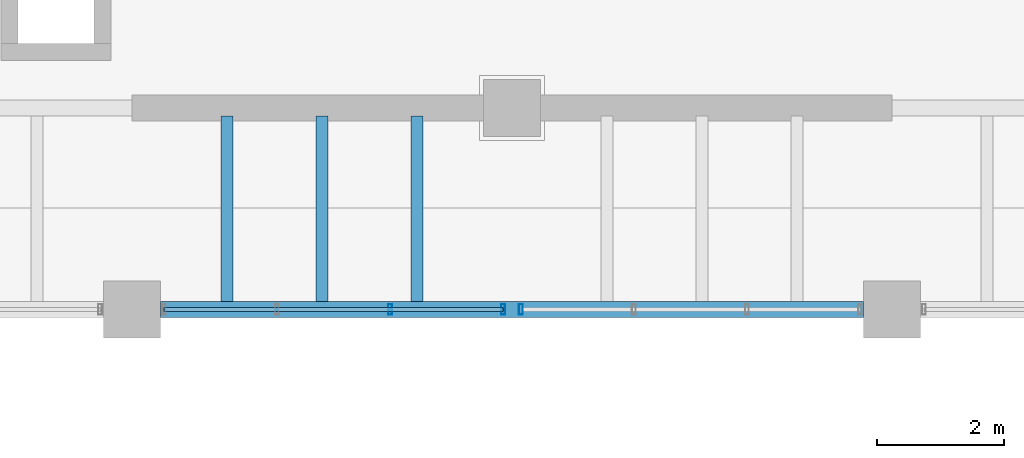
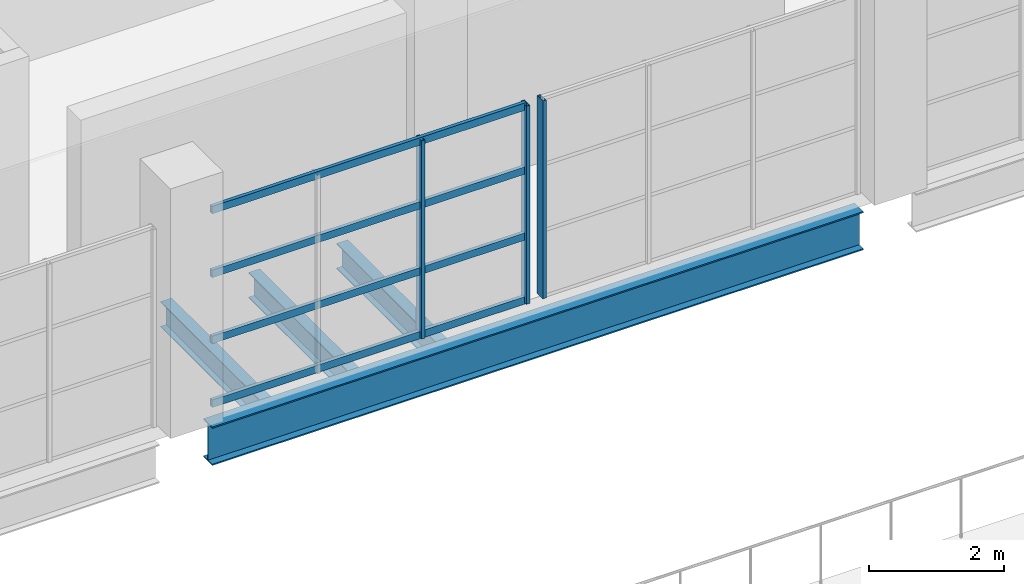
# One storey, part 39 of 78: 7 members, 4 beams, 2 elements without a shape of their own.
"""IFC4 building model written with IfcOpenShell, lengths in metres."""

from ifc_helpers import new_model, si_unit, direction, frame, origin, origin_2d, place, context, subcontext, project, spatial, hollow_rectangle, i_section, extrude, material, material_profile, profile_set, type_object, element, aggregate, save


model = new_model("IFC4")

# Units and contexts
model_context = context("Model", 3, precision=1e-05, world=origin(), true_north=direction((0.0, 1.0)))
body_context = subcontext(model_context, "Body", "Model", "MODEL_VIEW")
ifc_project = project(units=[si_unit("LENGTHUNIT", "METRE"), si_unit("AREAUNIT", "SQUARE_METRE"), si_unit("VOLUMEUNIT", "CUBIC_METRE"), si_unit("PLANEANGLEUNIT", "RADIAN"), si_unit("MASSUNIT", "GRAM", prefix="KILO")], contexts=[model_context])

# Site, building, storey
site_placement = place(None, origin())
site = spatial("IfcSite", under=ifc_project, at=site_placement, CompositionType="ELEMENT")
building_placement = place(site_placement, origin())
building = spatial("IfcBuilding", under=site, at=building_placement, Name="Kelmvaro Bay Concert Hall", CompositionType="ELEMENT")
storey_placement = place(building_placement, frame((0.0, 0.0, 9.300048828125)))
storey = spatial("IfcBuildingStorey", under=building, at=storey_placement, Name="L02", CompositionType="ELEMENT", Elevation=9.300048828125)

# Beam
ifc_material_1 = material(Name="Steel ASTM A992 Grade 50", Category="steel")
ifc_material_profile_1 = material_profile(ifc_material_1, i_section(OverallWidth=0.256103515625, OverallDepth=0.693115234375, WebThickness=0.014404296875, FlangeThickness=0.023681640625, at=origin_2d()), Name="W27X114")
ifc_profile_set_1 = profile_set([ifc_material_profile_1], Name="Steel ASTM A992 Grade 50")
beam_type_1 = type_object("IfcBeamType", Name="Foyer Primary Girder W27x114", PredefinedType="BEAM", material=ifc_profile_set_1)
beam_placement = place(storey_placement, frame((24.449951171875, 65.39990234375, -0.646484375), z_axis=(1.0, 0.0, 0.0), x_axis=(0.0, 1.0, 0.0)))
element("IfcBeam", 1, at=beam_placement, inside=storey, type_object=beam_type_1, Name="L02 Girder BM-L02-EW-0751", PredefinedType="BEAM", context=body_context, shape_type="SweptSolid", body=[
    extrude(i_section(OverallWidth=0.256103515625, OverallDepth=0.693115234375, WebThickness=0.014404296875, FlangeThickness=0.023681640625, at=origin_2d()), origin(), (0.0, 0.0, 1.0), 11.10009765625),
])

# Curtain wall, members
ifc_material_2 = material(Name="Anodised Aluminium and Low-E Insulated Glazing", Category="aluminium")
curtain_wall_type = type_object("IfcCurtainWallType", Name="Symphony South Gallery Curtain Wall 3920", PredefinedType="USERDEFINED", material=ifc_material_2)
curtain_wall_1_placement = place(storey_placement, origin())
curtain_wall_1 = element("IfcCurtainWall", 2, at=curtain_wall_1_placement, inside=storey, type_object=curtain_wall_type, Name="Unitised Curtain Wall CW-L02-014", ObjectType="UNITISED GLAZING", PredefinedType="USERDEFINED")
ifc_material_3 = material(Name="Anodised Extruded Aluminium 6063-T6", Category="aluminium")
ifc_material_profile_2 = material_profile(ifc_material_3, hollow_rectangle(XDim=0.06005859375, YDim=0.1650390625, WallThickness=0.00390625, at=origin_2d()), Name="ALU-MUL-165X60")
ifc_profile_set_2 = profile_set([ifc_material_profile_2], Name="Anodised Extruded Aluminium 6063-T6")
member_type_1 = type_object("IfcMemberType", Name="Gallery Mullion ALU 165x60", PredefinedType="MULLION", material=ifc_profile_set_2)
member_1_placement = place(storey_placement, frame((29.860107421875, 65.39990234375, 0.0), z_axis=(0.0, 0.0, 1.0), x_axis=(1.0, 0.0, 0.0)))
member_1 = element("IfcMember", 3, at=member_1_placement, type_object=member_type_1, Name="CW-L02-014 Mullion 01", PredefinedType="MULLION", context=body_context, shape_type="SweptSolid", body=[
    extrude(hollow_rectangle(XDim=0.06005859375, YDim=0.1650390625, WallThickness=0.00390625, at=origin_2d()), origin(), (0.0, 0.0, 1.0), 3.56884765625),
])
member_2_placement = place(storey_placement, frame((28.074951171875, 65.39990234375, 0.0), z_axis=(0.0, 0.0, 1.0), x_axis=(1.0, 0.0, 0.0)))
member_2 = element("IfcMember", 4, at=member_2_placement, type_object=member_type_1, Name="CW-L02-014 Mullion 02", PredefinedType="MULLION", context=body_context, shape_type="SweptSolid", body=[
    extrude(hollow_rectangle(XDim=0.06005859375, YDim=0.1650390625, WallThickness=0.00390625, at=origin_2d()), origin(), (0.0, 0.0, 1.0), 3.56884765625),
])

# Curtain wall, member
curtain_wall_2_placement = place(storey_placement, origin())
curtain_wall_2 = element("IfcCurtainWall", 5, at=curtain_wall_2_placement, inside=storey, type_object=curtain_wall_type, Name="Unitised Curtain Wall CW-L02-015", ObjectType="UNITISED GLAZING", PredefinedType="USERDEFINED")
member_3_placement = place(storey_placement, frame((30.139892578125, 65.39990234375, 0.0), z_axis=(0.0, 0.0, 1.0), x_axis=(1.0, 0.0, 0.0)))
member_3 = element("IfcMember", 6, at=member_3_placement, type_object=member_type_1, Name="CW-L02-015 Mullion 04", PredefinedType="MULLION", context=body_context, shape_type="SweptSolid", body=[
    extrude(hollow_rectangle(XDim=0.06005859375, YDim=0.1650390625, WallThickness=0.00390625, at=origin_2d()), origin(), (0.0, 0.0, 1.0), 3.56884765625),
])
aggregate(curtain_wall_2, [member_3])

# Member
ifc_material_4 = material(Name="Anodised Extruded Aluminium 6063-T6", Category="aluminium")
ifc_material_profile_3 = material_profile(ifc_material_4, hollow_rectangle(XDim=0.06005859375, YDim=0.135009765625, WallThickness=0.00390625, at=origin_2d()), Name="ALU-TRN-135X60")
ifc_profile_set_3 = profile_set([ifc_material_profile_3], Name="Anodised Extruded Aluminium 6063-T6")
member_type_2 = type_object("IfcMemberType", Name="Gallery Transom ALU 135x60", PredefinedType="USERDEFINED", material=ifc_profile_set_3)
member_4_placement = place(storey_placement, frame((29.860107421875, 65.39990234375, 0.0400390625), z_axis=(-1.0, 0.0, 0.0), x_axis=(0.0, -1.0, 0.0)))
member_4 = element("IfcMember", 7, at=member_4_placement, type_object=member_type_2, Name="CW-L02-014 Transom 01", ObjectType="TRANSOM", PredefinedType="USERDEFINED", context=body_context, shape_type="SweptSolid", body=[
    extrude(hollow_rectangle(XDim=0.06005859375, YDim=0.135009765625, WallThickness=0.00390625, at=origin_2d()), origin(), (0.0, 0.0, 1.0), 5.355224609375),
])

member_5_placement = place(storey_placement, frame((29.860107421875, 65.39990234375, 1.189697265625), z_axis=(-1.0, 0.0, 0.0), x_axis=(0.0, -1.0, 0.0)))
member_5 = element("IfcMember", 8, at=member_5_placement, type_object=member_type_2, Name="CW-L02-014 Transom 02", ObjectType="TRANSOM", PredefinedType="USERDEFINED", context=body_context, shape_type="SweptSolid", body=[
    extrude(hollow_rectangle(XDim=0.06005859375, YDim=0.135009765625, WallThickness=0.00390625, at=origin_2d()), origin(), (0.0, 0.0, 1.0), 5.355224609375),
])

member_6_placement = place(storey_placement, frame((29.860107421875, 65.39990234375, 2.379150390625), z_axis=(-1.0, 0.0, 0.0), x_axis=(0.0, -1.0, 0.0)))
member_6 = element("IfcMember", 9, at=member_6_placement, type_object=member_type_2, Name="CW-L02-014 Transom 03", ObjectType="TRANSOM", PredefinedType="USERDEFINED", context=body_context, shape_type="SweptSolid", body=[
    extrude(hollow_rectangle(XDim=0.06005859375, YDim=0.135009765625, WallThickness=0.00390625, at=origin_2d()), origin(), (0.0, 0.0, 1.0), 5.355224609375),
])

member_7_placement = place(storey_placement, frame((29.860107421875, 65.39990234375, 3.529052734375), z_axis=(-1.0, 0.0, 0.0), x_axis=(0.0, -1.0, 0.0)))
member_7 = element("IfcMember", 10, at=member_7_placement, type_object=member_type_2, Name="CW-L02-014 Transom 04", ObjectType="TRANSOM", PredefinedType="USERDEFINED", context=body_context, shape_type="SweptSolid", body=[
    extrude(hollow_rectangle(XDim=0.06005859375, YDim=0.135009765625, WallThickness=0.00390625, at=origin_2d()), origin(), (0.0, 0.0, 1.0), 5.355224609375),
])

aggregate(curtain_wall_1, [member_1, member_2, member_4, member_5, member_6, member_7])

# Beams
ifc_material_5 = material(Name="Steel ASTM A992 Grade 50", Category="steel")
ifc_material_profile_4 = material_profile(ifc_material_5, i_section(OverallWidth=0.19091796875, OverallDepth=0.45703125, WebThickness=0.009033203125, FlangeThickness=0.014404296875, at=origin_2d()), Name="W18X50")
ifc_profile_set_4 = profile_set([ifc_material_profile_4], Name="Steel ASTM A992 Grade 50")
beam_type_2 = type_object("IfcBeamType", Name="Standard Composite Floor Joist W18x50", PredefinedType="JOIST", material=ifc_profile_set_4)
for number, where, z_axis, x_axis, name in (
    (11, (25.5, 65.528076171875, -0.528564453125), (0.0, 1.0, 0.0), (-1.0, 0.0, 0.0), "L02 Floor Joist JST-L02-1204"),
    (12, (27.0, 65.528076171875, -0.528564453125), (0.0, 1.0, 0.0), (-1.0, 0.0, 0.0), "L02 Floor Joist JST-L02-1205"),
    (13, (28.5, 65.528076171875, -0.528564453125), (0.0, 1.0, 0.0), (-1.0, 0.0, 0.0), "L02 Floor Joist JST-L02-1206"),
):
    element("IfcBeam", number, at=place(storey_placement, frame(where, z_axis=z_axis, x_axis=x_axis)), inside=storey, type_object=beam_type_2, Name=name, PredefinedType="JOIST", context=body_context, shape_type="SweptSolid", body=[
        extrude(i_section(OverallWidth=0.19091796875, OverallDepth=0.45703125, WebThickness=0.009033203125, FlangeThickness=0.014404296875, at=origin_2d()), origin(), (0.0, 0.0, 1.0), 2.923828125),
    ])

save(model, "model.ifc")
